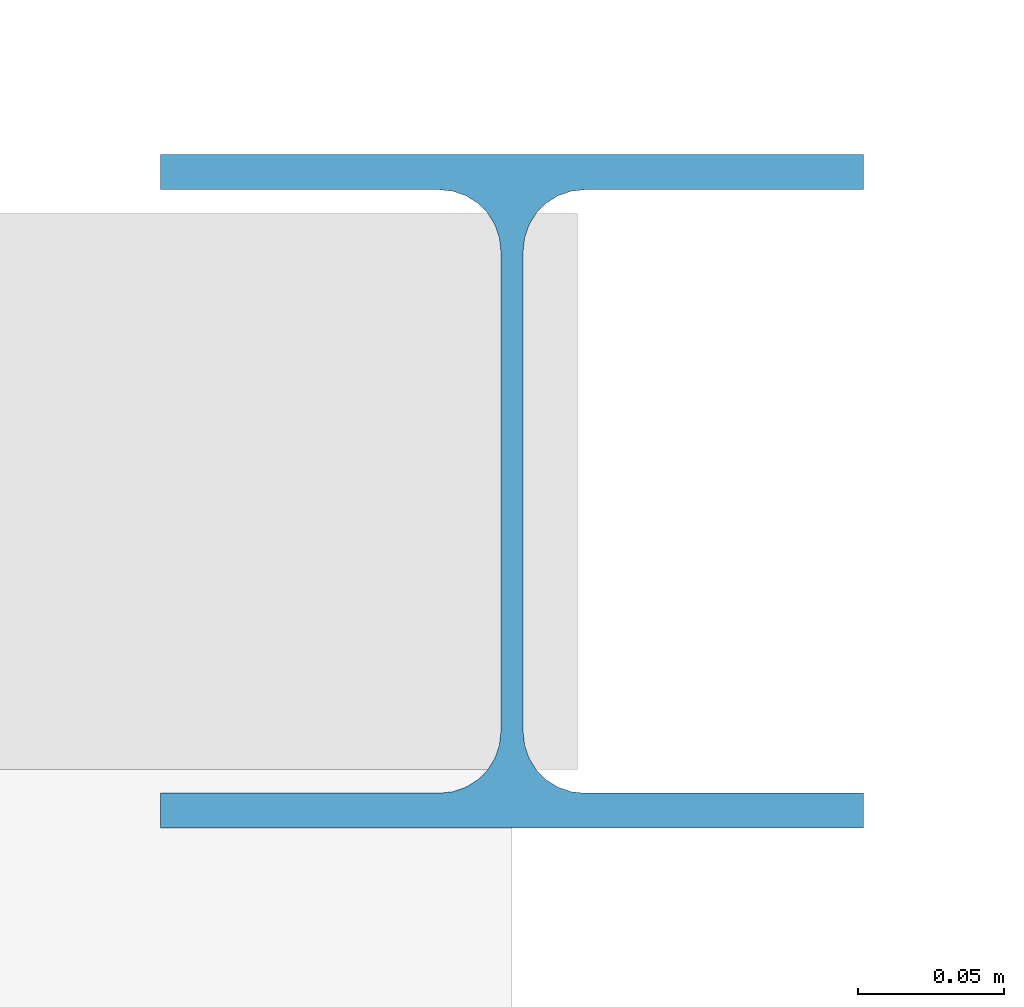
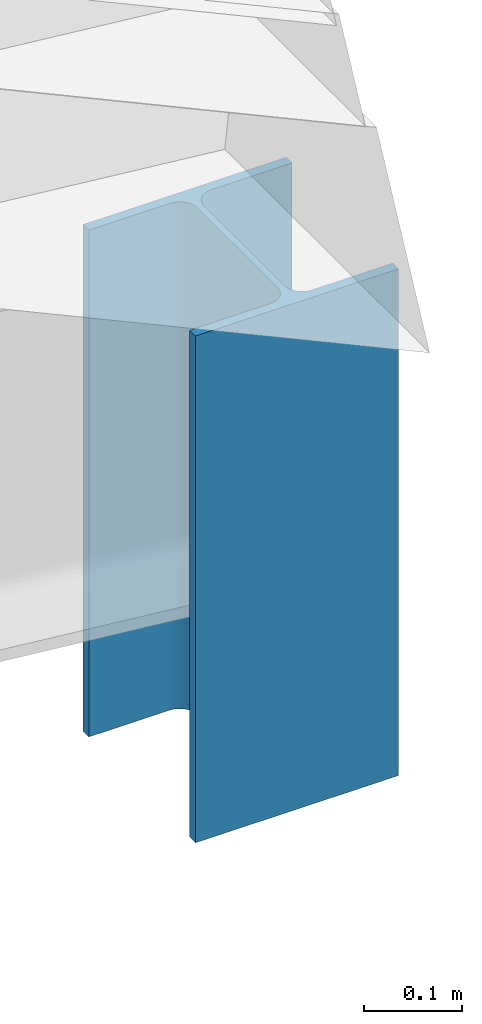
# One storey, part 28 of 54: 1 member.
"""IFC4 building model written with IfcOpenShell, lengths in metres."""

from ifc_helpers import new_model, si_unit, direction, frame, origin, origin_2d, place, context, subcontext, project, spatial, i_section, extrude, material, material_profile, profile_set, type_object, element, save


model = new_model("IFC4")

# Units and contexts
model_context = context("Model", 3, precision=1e-05, world=origin(), true_north=direction((0.0, 1.0)))
body_context = subcontext(model_context, "Body", "Model", "MODEL_VIEW")
ifc_project = project(units=[si_unit("LENGTHUNIT", "METRE"), si_unit("AREAUNIT", "SQUARE_METRE"), si_unit("VOLUMEUNIT", "CUBIC_METRE"), si_unit("PLANEANGLEUNIT", "RADIAN"), si_unit("MASSUNIT", "GRAM", prefix="KILO")], contexts=[model_context])

# Site, building, storey
site_placement = place(None, origin())
site = spatial("IfcSite", under=ifc_project, at=site_placement, CompositionType="ELEMENT")
building_placement = place(site_placement, origin())
building = spatial("IfcBuilding", under=site, at=building_placement, Name="Kenh Van Central Station", CompositionType="ELEMENT")
storey_placement = place(building_placement, frame((0.0, 0.0, 15.0)))
storey = spatial("IfcBuildingStorey", under=building, at=storey_placement, Name="L03", CompositionType="ELEMENT", Elevation=15.0)

# Member
ifc_material = material(Name="Steel S355", Category="steel")
ifc_material_profile = material_profile(ifc_material, i_section(OverallWidth=0.239990234375, OverallDepth=0.22998046875, WebThickness=0.007568359375, FlangeThickness=0.011962890625, FilletRadius=0.02099609375, at=origin_2d()), Name="HEA 240")
ifc_profile_set = profile_set([ifc_material_profile], Name="Steel S355")
member_type = type_object("IfcMemberType", Name="MEM-ROOF-POST240", PredefinedType="POST", material=ifc_profile_set)
member_placement = place(storey_placement, frame((96.0, 64.0, -0.949951171875), z_axis=(0.0, 0.0, 1.0), x_axis=(1.0, 0.0, 0.0)))
element("IfcMember", 1, at=member_placement, inside=storey, type_object=member_type, Name="L03 roof eave post 080", PredefinedType="POST", context=body_context, shape_type="SweptSolid", body=[
    extrude(i_section(OverallWidth=0.239990234375, OverallDepth=0.22998046875, WebThickness=0.007568359375, FlangeThickness=0.011962890625, FilletRadius=0.02099609375, at=origin_2d()), origin(), (0.0, 0.0, 1.0), 0.6328125),
])

save(model, "model.ifc")
